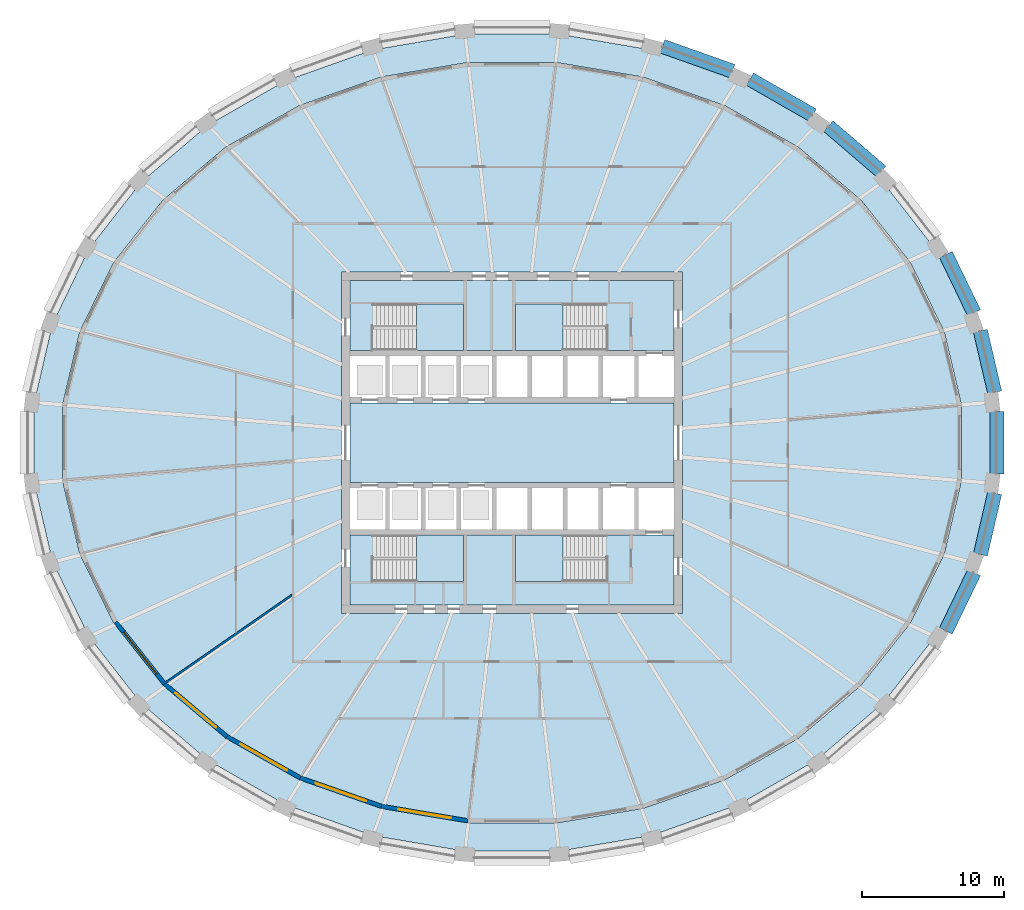
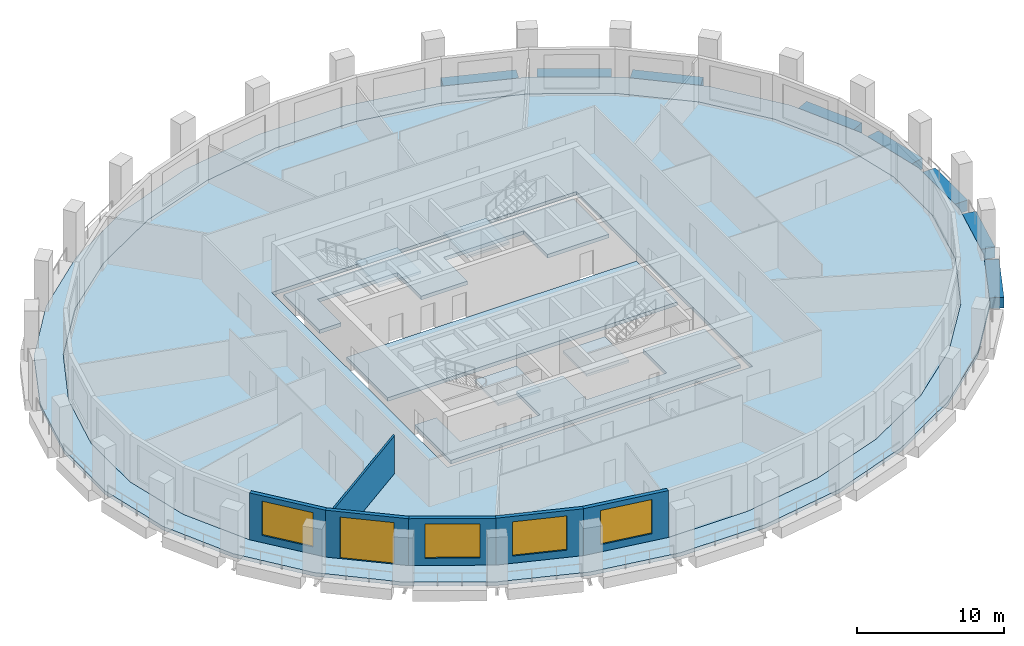
# One storey, part 2 of 11: 9 slabs, 8 beams, 6 walls, 4 windows, 1 door, 5 openings, 4 elements without a shape of their own.
"""IFC4 building model written with IfcOpenShell, lengths in metres."""

from ifc_helpers import new_model, si_unit, direction, frame, frame_2d, origin, origin_2d, place, context, subcontext, project, spatial, polyline, rectangle, outline, extrude, material, layer, layer_set, material_profile, profile_set, type_object, element, fill, aggregate, save


model = new_model("IFC4")

# Units and contexts
model_context = context("Model", 3, precision=1e-05, world=origin(), true_north=direction((0.0, 1.0)))
body_context = subcontext(model_context, "Body", "Model", "MODEL_VIEW")
ifc_project = project(units=[si_unit("LENGTHUNIT", "METRE"), si_unit("AREAUNIT", "SQUARE_METRE"), si_unit("VOLUMEUNIT", "CUBIC_METRE"), si_unit("PLANEANGLEUNIT", "RADIAN"), si_unit("MASSUNIT", "GRAM", prefix="KILO")], contexts=[model_context])

# Site, building, storey
site_placement = place(None, origin())
site = spatial("IfcSite", under=ifc_project, at=site_placement, CompositionType="ELEMENT")
building_placement = place(site_placement, origin())
building = spatial("IfcBuilding", under=site, at=building_placement, Name="Halqa Exchange Tower", CompositionType="ELEMENT")
storey_placement = place(building_placement, frame((0.0, 0.0, 150.699951171875)))
storey = spatial("IfcBuildingStorey", under=building, at=storey_placement, Name="L34", CompositionType="ELEMENT", Elevation=150.699951171875)

# Beams
ifc_material_1 = material(Name="Concrete C60/75", Category="concrete")
ifc_material_profile = material_profile(ifc_material_1, rectangle(XDim=1.0, YDim=0.89990234375, at=origin_2d()), Name="1000 x 900")
ifc_profile_set = profile_set([ifc_material_profile], Name="Concrete C60/75")
beam_type = type_object("IfcBeamType", Name="RC spandrel beam 1000 x 900 C60/75", PredefinedType="SPANDREL", material=ifc_profile_set)
beam_1_placement = place(storey_placement, frame((33.9453125, 3.536865234375, -0.449951171875), z_axis=(-0.226018930152, 0.974122909705, 0.0), x_axis=(-0.974122909705, -0.226018930152, 0.0)))
element("IfcBeam", 1, at=beam_1_placement, inside=storey, type_object=beam_type, Name="Spandrel 1", PredefinedType="SPANDREL", context=body_context, shape_type="SweptSolid", body=[
    extrude(rectangle(XDim=1.0, YDim=0.89990234375, at=origin_2d()), origin(), (0.0, 0.0, 1.0), 4.44384765625),
])
beam_2_placement = place(storey_placement, frame((32.49365234375, 9.134033203125, -0.449951171875), z_axis=(-0.435149114215, 0.900358399971, 0.0), x_axis=(-0.900358399971, -0.435149114215, 0.0)))
element("IfcBeam", 2, at=beam_2_placement, inside=storey, type_object=beam_type, Name="Spandrel 2", PredefinedType="SPANDREL", context=body_context, shape_type="SweptSolid", body=[
    extrude(rectangle(XDim=1.0, YDim=0.89990234375, at=origin_2d()), origin(), (0.0, 0.0, 1.0), 4.556396484375),
])
beam_3_placement = place(storey_placement, frame((25.972900390625, 19.07080078125, -0.449951171875), z_axis=(-0.759267140772, 0.650779078447, 0.0), x_axis=(-0.650779078447, -0.759267140772, 0.0)))
element("IfcBeam", 3, at=beam_3_placement, inside=storey, type_object=beam_type, Name="Spandrel 4", PredefinedType="SPANDREL", context=body_context, shape_type="SweptSolid", body=[
    extrude(rectangle(XDim=1.0, YDim=0.89990234375, at=origin_2d()), origin(), (0.0, 0.0, 1.0), 4.90576171875),
])
beam_4_placement = place(storey_placement, frame((21.150634765625, 23.03759765625, -0.449951171875), z_axis=(-0.867746542686, 0.497006979484, 0.0), x_axis=(-0.497006979484, -0.867746542686, 0.0)))
element("IfcBeam", 4, at=beam_4_placement, inside=storey, type_object=beam_type, Name="Spandrel 5", PredefinedType="SPANDREL", context=body_context, shape_type="SweptSolid", body=[
    extrude(rectangle(XDim=1.0, YDim=0.89990234375, at=origin_2d()), origin(), (0.0, 0.0, 1.0), 5.087158203125),
])
beam_5_placement = place(storey_placement, frame((15.515380859375, 26.12646484375, -0.449951171875), z_axis=(-0.942353294541, 0.334619587393, 0.0), x_axis=(-0.334619587393, -0.942353294541, 0.0)))
element("IfcBeam", 5, at=beam_5_placement, inside=storey, type_object=beam_type, Name="Spandrel 6", PredefinedType="SPANDREL", context=body_context, shape_type="SweptSolid", body=[
    extrude(rectangle(XDim=1.0, YDim=0.89990234375, at=origin_2d()), origin(), (0.0, 0.0, 1.0), 5.235595703125),
])
beam_6_placement = place(storey_placement, frame((30.510986328125, -13.236328125, -0.449951171875), z_axis=(0.435149114215, 0.900358399971, 0.0), x_axis=(-0.900358399971, 0.435149114215, 0.0)))
element("IfcBeam", 6, at=beam_6_placement, inside=storey, type_object=beam_type, Name="Spandrel 30", PredefinedType="SPANDREL", context=body_context, shape_type="SweptSolid", body=[
    extrude(rectangle(XDim=1.0, YDim=0.89990234375, at=origin_2d()), origin(), (0.0, 0.0, 1.0), 4.556396484375),
])
beam_7_placement = place(storey_placement, frame((32.94091796875, -7.86572265625, -0.449951171875), z_axis=(0.226018930152, 0.974122909705, 0.0), x_axis=(-0.974122909705, 0.226018930152, 0.0)))
element("IfcBeam", 7, at=beam_7_placement, inside=storey, type_object=beam_type, Name="Spandrel 31", PredefinedType="SPANDREL", context=body_context, shape_type="SweptSolid", body=[
    extrude(rectangle(XDim=1.0, YDim=0.89990234375, at=origin_2d()), origin(), (0.0, 0.0, 1.0), 4.44384765625),
])
beam_8_placement = place(storey_placement, frame((34.09814453125, -2.20263671875, -0.449951171875), z_axis=(0.0, 1.0, 0.0), x_axis=(-1.0, 0.0, 0.0)))
element("IfcBeam", 8, at=beam_8_placement, inside=storey, type_object=beam_type, Name="Spandrel 32", PredefinedType="SPANDREL", context=body_context, shape_type="SweptSolid", body=[
    extrude(rectangle(XDim=1.0, YDim=0.89990234375, at=origin_2d()), origin(), (0.0, 0.0, 1.0), 4.4052734375),
])

# Slabs
ifc_layer_1 = layer(ifc_material_1, 0.300048828125)
ifc_layer_set_1 = layer_set([ifc_layer_1], Name="Concrete C60/75")
slab_type_1 = type_object("IfcSlabType", Name="Core floor slab 300", PredefinedType="FLOOR", material=ifc_layer_set_1)
slab_1_placement = place(storey_placement, frame((0.0, 0.0, -0.300048828125)))
element("IfcSlab", 9, at=slab_1_placement, inside=storey, type_object=slab_type_1, Name="Core floor slab", PredefinedType="FLOOR", context=body_context, shape_type="SweptSolid", body=[
    extrude(outline(polyline([(-11.39990234375, 2.800048828125), (11.39990234375, 2.800048828125), (11.39990234375, -2.800048828125), (-11.39990234375, -2.800048828125), (-11.39990234375, 2.800048828125)])), origin(), (0.0, 0.0, 1.0), 0.300048828125),
])
slab_2_placement = place(storey_placement, frame((0.0, 0.0, -0.300048828125)))
element("IfcSlab", 10, at=slab_2_placement, inside=storey, type_object=slab_type_1, Name="Core floor slab", PredefinedType="FLOOR", context=body_context, shape_type="SweptSolid", body=[
    extrude(outline(polyline([(-11.39990234375, 11.39990234375), (11.39990234375, 11.39990234375), (11.39990234375, 6.5), (6.550048828125, 6.5), (6.550048828125, 9.75), (0.25, 9.75), (0.25, 6.5), (-3.39990234375, 6.5), (-3.39990234375, 9.75), (-9.699951171875, 9.75), (-9.699951171875, 6.5), (-11.39990234375, 6.5), (-11.39990234375, 11.39990234375)])), origin(), (0.0, 0.0, 1.0), 0.300048828125),
])
slab_3_placement = place(storey_placement, frame((0.0, 0.0, -0.300048828125)))
element("IfcSlab", 11, at=slab_3_placement, inside=storey, type_object=slab_type_1, Name="Core floor slab", PredefinedType="FLOOR", context=body_context, shape_type="SweptSolid", body=[
    extrude(outline(polyline([(-9.699951171875, -9.75), (-3.39990234375, -9.75), (-3.39990234375, -6.5), (0.25, -6.5), (0.25, -9.75), (6.550048828125, -9.75), (6.550048828125, -6.5), (11.39990234375, -6.5), (11.39990234375, -11.39990234375), (-11.39990234375, -11.39990234375), (-11.39990234375, -6.5), (-9.699951171875, -6.5), (-9.699951171875, -9.75)])), origin(), (0.0, 0.0, 1.0), 0.300048828125),
])
ifc_material_2 = material(Name="Concrete C40/50", Category="concrete")
ifc_layer_2 = layer(ifc_material_2, 0.300048828125)
ifc_layer_set_2 = layer_set([ifc_layer_2], Name="Concrete C40/50")
slab_type_2 = type_object("IfcSlabType", Name="RC floor slab 300", PredefinedType="FLOOR", material=ifc_layer_set_2)
slab_4_placement = place(storey_placement, frame((0.0, 0.0, -0.300048828125)))
element("IfcSlab", 12, at=slab_4_placement, inside=storey, type_object=slab_type_2, Name="Floor slab", PredefinedType="FLOOR", context=body_context, shape_type="SweptSolid", body=[
    extrude(outline(polyline([(31.61181640625, 2.63916015625), (30.392578125, 7.814208984375), (28.00341796875, 12.685302734375), (24.5380859375, 17.064697265625), (20.132080078125, 20.78515625), (14.955810546875, 23.705810546875), (9.208251953125, 25.716064453125), (3.10888671875, 26.740478515625), (-3.10888671875, 26.740478515625), (-9.208251953125, 25.716064453125), (-14.955810546875, 23.705810546875), (-20.132080078125, 20.78515625), (-24.5380859375, 17.064697265625), (-28.00341796875, 12.685302734375), (-30.392578125, 7.814208984375), (-31.61181640625, 2.63916015625), (-31.61181640625, -2.63916015625), (-30.392578125, -7.814208984375), (-28.00341796875, -12.685302734375), (-24.5380859375, -17.064697265625), (-20.132080078125, -20.78515625), (-14.955810546875, -23.705810546875), (-9.208251953125, -25.716064453125), (-3.10888671875, -26.740478515625), (3.10888671875, -26.740478515625), (9.208251953125, -25.716064453125), (14.955810546875, -23.705810546875), (20.132080078125, -20.78515625), (24.5380859375, -17.064697265625), (28.00341796875, -12.685302734375), (30.392578125, -7.814208984375), (31.61181640625, -2.63916015625), (31.61181640625, 2.63916015625)]), holes=[polyline([(-12.0, -12.0), (12.0, -12.0), (12.0, 12.0), (-12.0, 12.0), (-12.0, -12.0)])]), origin(), (0.0, 0.0, 1.0), 0.300048828125),
])
ifc_layer_3 = layer(ifc_material_2, 0.300048828125)
ifc_layer_set_3 = layer_set([ifc_layer_3], Name="Concrete C40/50")
slab_type_3 = type_object("IfcSlabType", Name="RC loggia slab 300", PredefinedType="FLOOR", material=ifc_layer_set_3)
slab_5_placement = place(storey_placement, frame((0.0, 0.0, -0.300048828125)))
element("IfcSlab", 13, at=slab_5_placement, inside=storey, type_object=slab_type_3, Name="Loggia slab", PredefinedType="FLOOR", context=body_context, shape_type="SweptSolid", body=[
    extrude(outline(polyline([(33.59814453125, 2.8212890625), (33.59814453125, -2.8212890625), (32.313232421875, -8.35791015625), (29.790283203125, -13.578857421875), (26.122314453125, -18.2841796875), (21.44677734375, -22.291748046875), (15.94189453125, -25.444580078125), (9.819580078125, -27.618408203125), (3.316162109375, -28.72705078125), (-3.316162109375, -28.72705078125), (-9.819580078125, -27.618408203125), (-15.94189453125, -25.444580078125), (-21.44677734375, -22.291748046875), (-26.122314453125, -18.2841796875), (-29.790283203125, -13.578857421875), (-32.313232421875, -8.35791015625), (-33.59814453125, -2.8212890625), (-33.59814453125, 2.8212890625), (-32.313232421875, 8.35791015625), (-29.790283203125, 13.578857421875), (-26.122314453125, 18.2841796875), (-21.44677734375, 22.291748046875), (-15.94189453125, 25.444580078125), (-9.819580078125, 27.618408203125), (-3.316162109375, 28.72705078125), (3.316162109375, 28.72705078125), (9.819580078125, 27.618408203125), (15.94189453125, 25.444580078125), (21.44677734375, 22.291748046875), (26.122314453125, 18.2841796875), (29.790283203125, 13.578857421875), (32.313232421875, 8.35791015625), (33.59814453125, 2.8212890625)]), holes=[polyline([(31.61181640625, 2.63916015625), (30.392578125, 7.814208984375), (28.00341796875, 12.685302734375), (24.5380859375, 17.064697265625), (20.132080078125, 20.78515625), (14.955810546875, 23.705810546875), (9.208251953125, 25.716064453125), (3.10888671875, 26.740478515625), (-3.10888671875, 26.740478515625), (-9.208251953125, 25.716064453125), (-14.955810546875, 23.705810546875), (-20.132080078125, 20.78515625), (-24.5380859375, 17.064697265625), (-28.00341796875, 12.685302734375), (-30.392578125, 7.814208984375), (-31.61181640625, 2.63916015625), (-31.61181640625, -2.63916015625), (-30.392578125, -7.814208984375), (-28.00341796875, -12.685302734375), (-24.5380859375, -17.064697265625), (-20.132080078125, -20.78515625), (-14.955810546875, -23.705810546875), (-9.208251953125, -25.716064453125), (-3.10888671875, -26.740478515625), (3.10888671875, -26.740478515625), (9.208251953125, -25.716064453125), (14.955810546875, -23.705810546875), (20.132080078125, -20.78515625), (24.5380859375, -17.064697265625), (28.00341796875, -12.685302734375), (30.392578125, -7.814208984375), (31.61181640625, -2.63916015625), (31.61181640625, 2.63916015625)])]), origin(), (0.0, 0.0, 1.0), 0.300048828125),
])

# Stair, slab
ifc_material_3 = material(Name="Concrete C30/37", Category="concrete")
stair_type = type_object("IfcStairType", Name="Exit stair 1500 wide", PredefinedType="HALF_TURN_STAIR", material=ifc_material_3)
stair_1_placement = place(storey_placement, origin())
stair_1 = element("IfcStair", 14, at=stair_1_placement, inside=storey, type_object=stair_type, Name="Exit stair ST1", PredefinedType="HALF_TURN_STAIR")
ifc_layer_4 = layer(ifc_material_3, 0.199951171875)
ifc_layer_set_4 = layer_set([ifc_layer_4], Name="Concrete C30/37")
slab_type_4 = type_object("IfcSlabType", Name="Stair landing 200 slab", PredefinedType="LANDING", material=ifc_layer_set_4)
slab_6_placement = place(storey_placement, frame((0.0, 0.0, 1.900146484375)))
slab_6 = element("IfcSlab", 15, at=slab_6_placement, type_object=slab_type_4, Name="ST1 landing 1", PredefinedType="LANDING", context=body_context, shape_type="SweptSolid", body=[
    extrude(outline(polyline([(-6.719970703125, 6.5), (-3.39990234375, 6.5), (-3.39990234375, 9.75), (-6.719970703125, 9.75), (-6.719970703125, 6.5)])), origin(), (0.0, 0.0, 1.0), 0.199951171875),
])
aggregate(stair_1, [slab_6])

stair_2_placement = place(storey_placement, origin())
stair_2 = element("IfcStair", 16, at=stair_2_placement, inside=storey, type_object=stair_type, Name="Exit stair ST2", PredefinedType="HALF_TURN_STAIR")
slab_7_placement = place(storey_placement, frame((0.0, 0.0, 1.900146484375)))
slab_7 = element("IfcSlab", 17, at=slab_7_placement, type_object=slab_type_4, Name="ST2 landing 1", PredefinedType="LANDING", context=body_context, shape_type="SweptSolid", body=[
    extrude(outline(polyline([(0.25, 6.5), (3.570068359375, 6.5), (3.570068359375, 9.75), (0.25, 9.75), (0.25, 6.5)])), origin(), (0.0, 0.0, 1.0), 0.199951171875),
])
aggregate(stair_2, [slab_7])

stair_3_placement = place(storey_placement, origin())
stair_3 = element("IfcStair", 18, at=stair_3_placement, inside=storey, type_object=stair_type, Name="Exit stair ST3", PredefinedType="HALF_TURN_STAIR")
slab_8_placement = place(storey_placement, frame((0.0, 0.0, 1.900146484375)))
slab_8 = element("IfcSlab", 19, at=slab_8_placement, type_object=slab_type_4, Name="ST3 landing 1", PredefinedType="LANDING", context=body_context, shape_type="SweptSolid", body=[
    extrude(outline(polyline([(-6.719970703125, -9.75), (-3.39990234375, -9.75), (-3.39990234375, -6.5), (-6.719970703125, -6.5), (-6.719970703125, -9.75)])), origin(), (0.0, 0.0, 1.0), 0.199951171875),
])
aggregate(stair_3, [slab_8])

stair_4_placement = place(storey_placement, origin())
stair_4 = element("IfcStair", 20, at=stair_4_placement, inside=storey, type_object=stair_type, Name="Exit stair ST4", PredefinedType="HALF_TURN_STAIR")
slab_9_placement = place(storey_placement, frame((0.0, 0.0, 1.900146484375)))
slab_9 = element("IfcSlab", 21, at=slab_9_placement, type_object=slab_type_4, Name="ST4 landing 1", PredefinedType="LANDING", context=body_context, shape_type="SweptSolid", body=[
    extrude(outline(polyline([(0.25, -9.75), (3.570068359375, -9.75), (3.570068359375, -6.5), (0.25, -6.5), (0.25, -9.75)])), origin(), (0.0, 0.0, 1.0), 0.199951171875),
])
aggregate(stair_4, [slab_9])

# Wall
ifc_material_4 = material(Name="Fire-rated gypsum board")
ifc_layer_5 = layer(ifc_material_4, 0.14990234375)
ifc_layer_set_5 = layer_set([ifc_layer_5], Name="Fire-rated gypsum board")
wall_type_1 = type_object("IfcWallType", Name="Fire partition EI 60 150", PredefinedType="PARTITIONING", material=ifc_layer_set_5)
wall_1_placement = place(storey_placement, frame((-24.32373046875, -16.859130859375, 0.0), z_axis=(0.0, 0.0, 1.0), x_axis=(0.821700462415, 0.569919599652, 0.0)))
element("IfcWall", 22, at=wall_1_placement, inside=storey, type_object=wall_type_1, Name="L34-PWL-003", PredefinedType="PARTITIONING", context=body_context, shape_type="SweptSolid", body=[
    extrude(outline(polyline([(0.025146484375, -0.074951171875), (1.80712890625, -0.074951171875), (3.5888671875, -0.074951171875), (5.370849609375, -0.074951171875), (7.15283203125, -0.074951171875), (8.934814453125, -0.074951171875), (10.716796875, -0.074951171875), (10.8203125, 0.07421875), (10.8203125, 0.074951171875), (9.24853515625, 0.074951171875), (7.6767578125, 0.074951171875), (6.10498046875, 0.074951171875), (6.10400390625, 0.073486328125), (6.101806640625, 0.074951171875), (4.576416015625, 0.074951171875), (3.051025390625, 0.074951171875), (1.525390625, 0.074951171875), (0.0, 0.074951171875), (0.0, 0.070556640625), (0.00439453125, 0.002197265625), (0.025146484375, -0.074951171875)])), origin(), (0.0, 0.0, 1.0), 3.14697265625),
])

# Wall, opening, window
ifc_material_5 = material(Name="Limestone cladding", Category="masonry")
ifc_layer_6 = layer(ifc_material_5, 0.0400390625)
ifc_material_6 = material(Name="Ventilated cavity")
ifc_layer_7 = layer(ifc_material_6, 0.030029296875, ventilated=True)
ifc_material_7 = material(Name="Mineral wool insulation")
ifc_layer_8 = layer(ifc_material_7, 0.10009765625)
ifc_layer_9 = layer(ifc_material_3, 0.10009765625)
ifc_material_8 = material(Name="Internal plaster")
ifc_layer_10 = layer(ifc_material_8, 0.030029296875)
ifc_layer_set_6 = layer_set([ifc_layer_6, ifc_layer_7, ifc_layer_8, ifc_layer_9, ifc_layer_10], Name="Stone-faced insulated wall 300")
wall_type_2 = type_object("IfcWallType", Name="Stone-faced insulated wall 300", PredefinedType="STANDARD", material=ifc_layer_set_6)
wall_2_placement = place(storey_placement, frame((-27.875732421875, -12.604736328125, 0.0), z_axis=(0.0, 0.0, 1.0), x_axis=(0.620520511988, -0.784190215574, 0.0)))
wall_2 = element("IfcWall", 23, at=wall_2_placement, inside=storey, type_object=wall_type_2, Name="Glass-line wall 19", PredefinedType="STANDARD", context=body_context, shape_type="SweptSolid", body=[
    extrude(outline(polyline([(-0.01611328125, -0.14990234375), (5.568603515625, -0.14990234375), (5.538330078125, 0.14990234375), (0.01611328125, 0.14990234375), (-0.01611328125, -0.14990234375)])), origin(), (0.0, 0.0, 1.0), 3.900146484375),
])
opening_1_placement = place(wall_2_placement, frame((0.901611328125, 0.0, 0.60009765625)))
opening_1 = element("IfcOpeningElement", 24, at=opening_1_placement, cuts=wall_2, Name="Opening W-F2-19", PredefinedType="OPENING", context=body_context, shape_type="SweptSolid", body=[
    extrude(rectangle(XDim=3.75, YDim=2.85009765625, at=frame_2d((1.875, 1.425048828125))), frame((0.0, 0.162109375, 0.0), z_axis=(0.0, -1.0, 0.0), x_axis=(1.0, 0.0, 0.0)), (0.0, 0.0, 1.0), 0.323974609375),
])
ifc_material_9 = material(Name="Clear low-emissivity glass in aluminium frame", Category="aluminium")
window_type = type_object("IfcWindowType", Name="Fixed clear glazed window 3750 x 2850", PartitioningType="TRIPLE_PANEL_VERTICAL", PredefinedType="WINDOW", material=ifc_material_9)
window_1_placement = place(opening_1_placement, origin())
window_1 = element("IfcWindow", 25, at=window_1_placement, inside=storey, type_object=window_type, Name="Window 2", OverallHeight=2.85009765625, OverallWidth=3.75, PartitioningType="TRIPLE_PANEL_VERTICAL", PredefinedType="WINDOW", context=body_context, shape_type="SweptSolid", body=[
    extrude(rectangle(XDim=3.75, YDim=2.85009765625, at=frame_2d((1.875, 1.425048828125))), frame((0.0, 0.030029296875, 0.0), z_axis=(0.0, -1.0, 0.0), x_axis=(1.0, 0.0, 0.0)), (0.0, 0.0, 1.0), 0.06005859375),
])
fill(opening_1, window_1)

# Wall, opening, door
wall_3_placement = place(storey_placement, frame((-24.4296875, -16.959716796875, 0.0), z_axis=(0.0, 0.0, 1.0), x_axis=(0.764047627809, -0.64515984255, 0.0)))
wall_3 = element("IfcWall", 26, at=wall_3_placement, inside=storey, type_object=wall_type_2, Name="Glass-line wall 20", PredefinedType="STANDARD", context=body_context, shape_type="SweptSolid", body=[
    extrude(outline(polyline([(-0.01513671875, -0.14990234375), (5.751708984375, -0.14990234375), (5.723388671875, 0.14990234375), (0.01513671875, 0.14990234375), (-0.01513671875, -0.14990234375)])), origin(), (0.0, 0.0, 1.0), 3.900146484375),
])
opening_2_placement = place(wall_3_placement, frame((0.99365234375, 0.0, 0.0)))
opening_2 = element("IfcOpeningElement", 27, at=opening_2_placement, cuts=wall_3, Name="Opening LG-F2-05", PredefinedType="OPENING", context=body_context, shape_type="SweptSolid", body=[
    extrude(rectangle(XDim=3.75, YDim=3.449951171875, at=frame_2d((1.875, 1.72509765625))), frame((0.0, 0.162109375, 0.0), z_axis=(0.0, -1.0, 0.0), x_axis=(1.0, 0.0, 0.0)), (0.0, 0.0, 1.0), 0.323974609375),
])
door_type = type_object("IfcDoorType", Name="Glazed sliding loggia door 3750 x 3450", OperationType="DOUBLE_DOOR_SLIDING", PredefinedType="DOOR", material=ifc_material_9)
door_placement = place(opening_2_placement, origin())
door = element("IfcDoor", 28, at=door_placement, inside=storey, type_object=door_type, Name="Loggia door 5", OperationType="DOUBLE_DOOR_SLIDING", OverallHeight=3.449951171875, OverallWidth=3.75, PredefinedType="DOOR", context=body_context, shape_type="SweptSolid", body=[
    extrude(rectangle(XDim=3.75, YDim=3.449951171875, at=frame_2d((1.875, 1.72509765625))), frame((0.0, 0.02490234375, 0.0), z_axis=(0.0, -1.0, 0.0), x_axis=(1.0, 0.0, 0.0)), (0.0, 0.0, 1.0), 0.050048828125),
])
fill(opening_2, door)

# Wall, opening, window
wall_4_placement = place(storey_placement, frame((-20.0458984375, -20.661376953125, 0.0), z_axis=(0.0, 0.0, 1.0), x_axis=(0.870912346166, -0.491438384028, 0.0)))
wall_4 = element("IfcWall", 29, at=wall_4_placement, inside=storey, type_object=wall_type_2, Name="Glass-line wall 21", PredefinedType="STANDARD", context=body_context, shape_type="SweptSolid", body=[
    extrude(outline(polyline([(-0.01416015625, -0.14990234375), (5.92919921875, -0.14990234375), (5.90234375, 0.14990234375), (0.01416015625, 0.14990234375), (-0.01416015625, -0.14990234375)])), origin(), (0.0, 0.0, 1.0), 3.900146484375),
])
opening_3_placement = place(wall_4_placement, frame((1.0830078125, 0.0, 0.60009765625)))
opening_3 = element("IfcOpeningElement", 30, at=opening_3_placement, cuts=wall_4, Name="Opening W-F2-21", PredefinedType="OPENING", context=body_context, shape_type="SweptSolid", body=[
    extrude(rectangle(XDim=3.75, YDim=2.85009765625, at=frame_2d((1.875, 1.425048828125))), frame((0.0, 0.162109375, 0.0), z_axis=(0.0, -1.0, 0.0), x_axis=(1.0, 0.0, 0.0)), (0.0, 0.0, 1.0), 0.323974609375),
])
window_2_placement = place(opening_3_placement, origin())
window_2 = element("IfcWindow", 31, at=window_2_placement, inside=storey, type_object=window_type, Name="Window 2", OverallHeight=2.85009765625, OverallWidth=3.75, PartitioningType="TRIPLE_PANEL_VERTICAL", PredefinedType="WINDOW", context=body_context, shape_type="SweptSolid", body=[
    extrude(rectangle(XDim=3.75, YDim=2.85009765625, at=frame_2d((1.875, 1.425048828125))), frame((0.0, 0.030029296875, 0.0), z_axis=(0.0, -1.0, 0.0), x_axis=(1.0, 0.0, 0.0)), (0.0, 0.0, 1.0), 0.06005859375),
])
fill(opening_3, window_2)

wall_5_placement = place(storey_placement, frame((-14.893798828125, -23.568603515625, 0.0), z_axis=(0.0, 0.0, 1.0), x_axis=(0.943925510212, -0.330158494016, 0.0)))
wall_5 = element("IfcWall", 32, at=wall_5_placement, inside=storey, type_object=wall_type_2, Name="Glass-line wall 22", PredefinedType="STANDARD", context=body_context, shape_type="SweptSolid", body=[
    extrude(outline(polyline([(-0.013427734375, -0.14990234375), (6.07568359375, -0.14990234375), (6.05029296875, 0.14990234375), (0.013427734375, 0.14990234375), (-0.013427734375, -0.14990234375)])), origin(), (0.0, 0.0, 1.0), 3.900146484375),
])
opening_4_placement = place(wall_5_placement, frame((1.156494140625, 0.0, 0.60009765625)))
opening_4 = element("IfcOpeningElement", 33, at=opening_4_placement, cuts=wall_5, Name="Opening W-F2-22", PredefinedType="OPENING", context=body_context, shape_type="SweptSolid", body=[
    extrude(rectangle(XDim=3.75, YDim=2.85009765625, at=frame_2d((1.875, 1.425048828125))), frame((0.0, 0.162109375, 0.0), z_axis=(0.0, -1.0, 0.0), x_axis=(1.0, 0.0, 0.0)), (0.0, 0.0, 1.0), 0.323974609375),
])
window_3_placement = place(opening_4_placement, origin())
window_3 = element("IfcWindow", 34, at=window_3_placement, inside=storey, type_object=window_type, Name="Window 2", OverallHeight=2.85009765625, OverallWidth=3.75, PartitioningType="TRIPLE_PANEL_VERTICAL", PredefinedType="WINDOW", context=body_context, shape_type="SweptSolid", body=[
    extrude(rectangle(XDim=3.75, YDim=2.85009765625, at=frame_2d((1.875, 1.425048828125))), frame((0.0, 0.030029296875, 0.0), z_axis=(0.0, -1.0, 0.0), x_axis=(1.0, 0.0, 0.0)), (0.0, 0.0, 1.0), 0.06005859375),
])
fill(opening_4, window_3)

wall_6_placement = place(storey_placement, frame((-9.1708984375, -25.5703125, 0.0), z_axis=(0.0, 0.0, 1.0), x_axis=(0.986186393203, -0.165639360845, 0.0)))
wall_6 = element("IfcWall", 35, at=wall_6_placement, inside=storey, type_object=wall_type_2, Name="Glass-line wall 23", PredefinedType="STANDARD", context=body_context, shape_type="SweptSolid", body=[
    extrude(outline(polyline([(-0.0126953125, -0.14990234375), (6.172119140625, -0.14990234375), (6.147216796875, 0.14990234375), (0.0126953125, 0.14990234375), (-0.0126953125, -0.14990234375)])), origin(), (0.0, 0.0, 1.0), 3.900146484375),
])
opening_5_placement = place(wall_6_placement, frame((1.20458984375, 0.0, 0.60009765625)))
opening_5 = element("IfcOpeningElement", 36, at=opening_5_placement, cuts=wall_6, Name="Opening W-F2-23", PredefinedType="OPENING", context=body_context, shape_type="SweptSolid", body=[
    extrude(rectangle(XDim=3.75, YDim=2.85009765625, at=frame_2d((1.875, 1.425048828125))), frame((0.0, 0.162109375, 0.0), z_axis=(0.0, -1.0, 0.0), x_axis=(1.0, 0.0, 0.0)), (0.0, 0.0, 1.0), 0.323974609375),
])
window_4_placement = place(opening_5_placement, origin())
window_4 = element("IfcWindow", 37, at=window_4_placement, inside=storey, type_object=window_type, Name="Window 2", OverallHeight=2.85009765625, OverallWidth=3.75, PartitioningType="TRIPLE_PANEL_VERTICAL", PredefinedType="WINDOW", context=body_context, shape_type="SweptSolid", body=[
    extrude(rectangle(XDim=3.75, YDim=2.85009765625, at=frame_2d((1.875, 1.425048828125))), frame((0.0, 0.030029296875, 0.0), z_axis=(0.0, -1.0, 0.0), x_axis=(1.0, 0.0, 0.0)), (0.0, 0.0, 1.0), 0.06005859375),
])
fill(opening_5, window_4)

save(model, "model.ifc")
